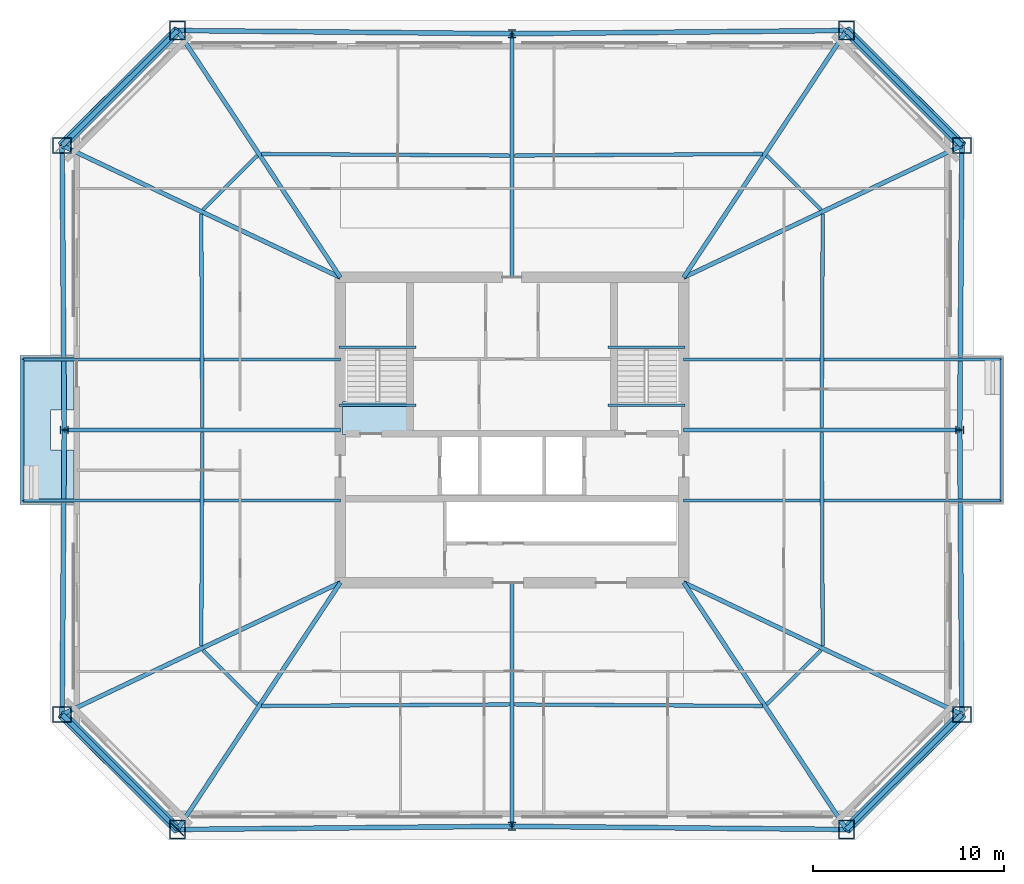
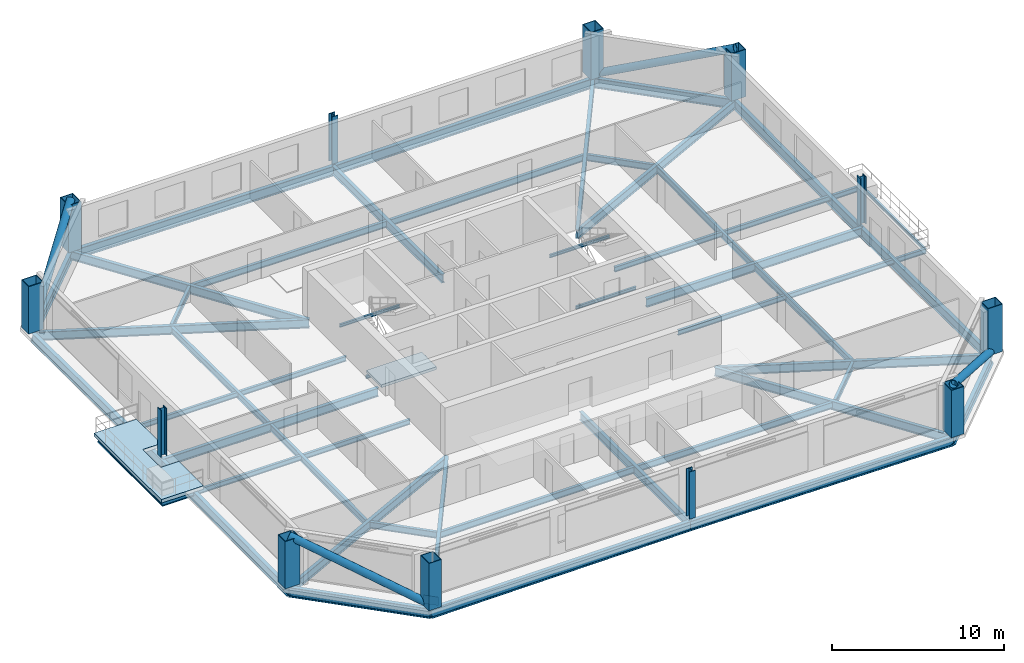
# One storey, part 1 of 8: 46 beams, 12 columns, 4 members, 2 slabs, 1 plate, 1 element without a shape of its own.
"""IFC4 building model written with IfcOpenShell, lengths in metres."""

from ifc_helpers import new_model, si_unit, direction, frame, origin, origin_2d, place, context, subcontext, project, spatial, polyline, rectangle, hollow_rectangle, hollow_circle, i_section, outline, extrude, material, layer, layer_set, material_profile, profile_set, type_object, element, aggregate, save


model = new_model("IFC4")

# Units and contexts
model_context = context("Model", 3, precision=1e-05, world=origin(), true_north=direction((0.0, 1.0)))
body_context = subcontext(model_context, "Body", "Model", "MODEL_VIEW")
ifc_project = project(units=[si_unit("LENGTHUNIT", "METRE"), si_unit("AREAUNIT", "SQUARE_METRE"), si_unit("VOLUMEUNIT", "CUBIC_METRE"), si_unit("PLANEANGLEUNIT", "RADIAN"), si_unit("MASSUNIT", "GRAM", prefix="KILO")], contexts=[model_context])

# Site, building, storey
site_placement = place(None, origin())
site = spatial("IfcSite", under=ifc_project, at=site_placement, CompositionType="ELEMENT")
building_placement = place(site_placement, origin())
building = spatial("IfcBuilding", under=site, at=building_placement, Name="Caelvoria Tower", CompositionType="ELEMENT")
storey_placement = place(building_placement, frame((0.0, 0.0, 142.0)))
storey = spatial("IfcBuildingStorey", under=building, at=storey_placement, Name="L37", CompositionType="ELEMENT", Elevation=142.0)

# Columns
ifc_material_1 = material(Name="Structural Steel ASTM A572 Gr.50", Category="steel")
ifc_material_profile_1 = material_profile(ifc_material_1, hollow_rectangle(XDim=0.85009765625, YDim=1.0, WallThickness=0.050048828125, at=origin_2d()), Name="Structural Steel ASTM A572 Gr.50")
ifc_profile_set_1 = profile_set([ifc_material_profile_1], Name="BOX1000X850X50 - Structural Steel ASTM A572 Gr.50")
column_type_1 = type_object("IfcColumnType", Name="Mega Box Column 1000x850x50", PredefinedType="COLUMN", material=ifc_profile_set_1)
for number, where, z_axis, x_axis, name in (
    (1, (28.462158203125, 11.052001953125, 0.0), (0.0, 0.0, 1.0), (1.0, 0.0, 0.0), "Perimeter Megaframe Column L37-P00"),
    (2, (63.537841796875, 11.052001953125, 0.0), (0.0, 0.0, 1.0), (1.0, 0.0, 0.0), "Perimeter Megaframe Column L37-P02"),
    (3, (69.59130859375, 17.084716796875, 0.0), (0.0, 0.0, 1.0), (0.0, 1.0, 0.0), "Perimeter Megaframe Column L37-P03"),
    (4, (69.59130859375, 46.915283203125, 0.0), (0.0, 0.0, 1.0), (0.0, 1.0, 0.0), "Perimeter Megaframe Column L37-P05"),
    (5, (63.537841796875, 52.947998046875, 0.0), (0.0, 0.0, 1.0), (1.0, 0.0, 0.0), "Perimeter Megaframe Column L37-P06"),
    (6, (28.462158203125, 52.947998046875, 0.0), (0.0, 0.0, 1.0), (1.0, 0.0, 0.0), "Perimeter Megaframe Column L37-P08"),
    (7, (22.40869140625, 46.915283203125, 0.0), (0.0, 0.0, 1.0), (0.0, 1.0, 0.0), "Perimeter Megaframe Column L37-P09"),
    (8, (22.40869140625, 17.084716796875, 0.0), (0.0, 0.0, 1.0), (0.0, 1.0, 0.0), "Perimeter Megaframe Column L37-P11"),
):
    element("IfcColumn", number, at=place(storey_placement, frame(where, z_axis=z_axis, x_axis=x_axis)), inside=storey, type_object=column_type_1, Name=name, PredefinedType="COLUMN", context=body_context, shape_type="SweptSolid", body=[
        extrude(hollow_rectangle(XDim=0.85009765625, YDim=1.0, WallThickness=0.050048828125, at=origin_2d()), origin(), (0.0, 0.0, 1.0), 3.35791015625),
    ])
ifc_material_2 = material(Name="Structural Steel ASTM A992 Gr.50", Category="steel")
ifc_material_profile_2 = material_profile(ifc_material_2, i_section(OverallWidth=0.406005859375, OverallDepth=0.425048828125, WebThickness=0.03271484375, FlangeThickness=0.052490234375, FilletRadius=0.02490234375, at=origin_2d()), Name="Structural Steel ASTM A992 Gr.50")
ifc_profile_set_2 = profile_set([ifc_material_profile_2], Name="W360X421 - Structural Steel ASTM A992 Gr.50")
column_type_2 = type_object("IfcColumnType", Name="Mid Frame Column W360X421", PredefinedType="COLUMN", material=ifc_profile_set_2)
for number, where, z_axis, x_axis, name in (
    (9, (46.0, 11.219970703125, 0.0), (0.0, 0.0, 1.0), (1.0, 0.0, 0.0), "Perimeter Megaframe Column L37-P01"),
    (10, (69.47998046875, 32.0, 0.0), (0.0, 0.0, 1.0), (0.0, 1.0, 0.0), "Perimeter Megaframe Column L37-P04"),
    (11, (46.0, 52.780029296875, 0.0), (0.0, 0.0, 1.0), (1.0, 0.0, 0.0), "Perimeter Megaframe Column L37-P07"),
    (12, (22.52001953125, 32.0, 0.0), (0.0, 0.0, 1.0), (0.0, 1.0, 0.0), "Perimeter Megaframe Column L37-P10"),
):
    element("IfcColumn", number, at=place(storey_placement, frame(where, z_axis=z_axis, x_axis=x_axis)), inside=storey, type_object=column_type_2, Name=name, PredefinedType="COLUMN", context=body_context, shape_type="SweptSolid", body=[
        extrude(i_section(OverallWidth=0.406005859375, OverallDepth=0.425048828125, WebThickness=0.03271484375, FlangeThickness=0.052490234375, FilletRadius=0.02490234375, at=origin_2d()), origin(), (0.0, 0.0, 1.0), 3.35791015625),
    ])

# Beams
ifc_material_profile_3 = material_profile(ifc_material_2, i_section(OverallWidth=0.134033203125, OverallDepth=0.2099609375, WebThickness=0.00634765625, FlangeThickness=0.01025390625, FilletRadius=0.010009765625, at=origin_2d()), Name="Structural Steel ASTM A992 Gr.50")
ifc_profile_set_3 = profile_set([ifc_material_profile_3], Name="W200X31.3 - Structural Steel ASTM A992 Gr.50")
beam_type_1 = type_object("IfcBeamType", Name="Canopy Edge Trim Beam W200X31.3", PredefinedType="BEAM", material=ifc_profile_set_3)
for number, where, z_axis, x_axis, name in (
    (13, (20.35009765625, 28.300048828125, -0.428955078125), (0.0, 1.0, 0.0), (-1.0, 0.0, 0.0), "Tree Balcony Edge Beam TB-L37-W"),
    (14, (71.64990234375, 28.300048828125, -0.428955078125), (0.0, 1.0, 0.0), (-1.0, 0.0, 0.0), "Tree Balcony Edge Beam TB-L37-E"),
):
    element("IfcBeam", number, at=place(storey_placement, frame(where, z_axis=z_axis, x_axis=x_axis)), inside=storey, type_object=beam_type_1, Name=name, PredefinedType="BEAM", context=body_context, shape_type="SweptSolid", body=[
        extrude(i_section(OverallWidth=0.134033203125, OverallDepth=0.2099609375, WebThickness=0.00634765625, FlangeThickness=0.01025390625, FilletRadius=0.010009765625, at=origin_2d()), origin(), (0.0, 0.0, 1.0), 7.39990234375),
    ])
for number, where, z_axis, x_axis, name in (
    (15, (36.929931640625, 36.35009765625, 1.4951171875), (1.0, 0.0, 0.0), (0.0, 1.0, 0.0), "ST-01 Half-Landing Support Beam L37"),
    (16, (36.929931640625, 33.300048828125, -0.304931640625), (1.0, 0.0, 0.0), (0.0, 1.0, 0.0), "ST-01 Floor-Landing Support Beam L37"),
    (17, (51.030029296875, 36.35009765625, 1.4951171875), (1.0, 0.0, 0.0), (0.0, 1.0, 0.0), "ST-02 Half-Landing Support Beam L37"),
    (18, (51.030029296875, 33.300048828125, -0.304931640625), (1.0, 0.0, 0.0), (0.0, 1.0, 0.0), "ST-02 Floor-Landing Support Beam L37"),
):
    element("IfcBeam", number, at=place(storey_placement, frame(where, z_axis=z_axis, x_axis=x_axis)), inside=storey, type_object=beam_type_1, Name=name, PredefinedType="BEAM", context=body_context, shape_type="SweptSolid", body=[
        extrude(i_section(OverallWidth=0.134033203125, OverallDepth=0.2099609375, WebThickness=0.00634765625, FlangeThickness=0.01025390625, FilletRadius=0.010009765625, at=origin_2d()), origin(), (0.0, 0.0, 1.0), 4.0400390625),
    ])

# Members
ifc_material_profile_4 = material_profile(ifc_material_1, hollow_circle(Radius=0.25390625, WallThickness=0.02001953125, at=origin_2d()), Name="Structural Steel ASTM A572 Gr.50")
ifc_profile_set_4 = profile_set([ifc_material_profile_4], Name="CHS508X20 - Structural Steel ASTM A572 Gr.50")
member_type = type_object("IfcMemberType", Name="Mid Perimeter Mega Brace CHS508X20", PredefinedType="BRACE", material=ifc_profile_set_4)
for number, where, z_axis, x_axis, name in (
    (19, (69.59130859375, 17.084716796875, 0.0), (-0.659199934996, -0.656940124773, 0.365903154078), (0.705891639545, -0.708319838224, 0.0), "Perimeter Chamfer Mega Brace L37 SE"),
    (20, (63.537841796875, 52.947998046875, 0.0), (0.659199934996, -0.656940124773, 0.365903154078), (0.705891639545, 0.708319838224, 0.0), "Perimeter Chamfer Mega Brace L37 NE"),
    (21, (22.40869140625, 46.915283203125, 0.0), (0.659199934996, 0.656940124773, 0.365903154078), (-0.705891639545, 0.708319838224, 0.0), "Perimeter Chamfer Mega Brace L37 NW"),
    (22, (28.462158203125, 11.052001953125, 0.0), (-0.659199934996, 0.656940124773, 0.365903154078), (-0.705891639545, -0.708319838224, 0.0), "Perimeter Chamfer Mega Brace L37 SW"),
):
    element("IfcMember", number, at=place(storey_placement, frame(where, z_axis=z_axis, x_axis=x_axis)), inside=storey, type_object=member_type, Name=name, PredefinedType="BRACE", context=body_context, shape_type="SweptSolid", body=[
        extrude(hollow_circle(Radius=0.25390625, WallThickness=0.02001953125, at=origin_2d()), origin(), (0.0, 0.0, 1.0), 9.18310546875),
    ])

# Beams
ifc_material_profile_5 = material_profile(ifc_material_2, i_section(OverallWidth=0.25390625, OverallDepth=0.68798828125, WebThickness=0.01318359375, FlangeThickness=0.02099609375, FilletRadius=0.01904296875, at=origin_2d()), Name="Structural Steel ASTM A992 Gr.50")
ifc_profile_set_5 = profile_set([ifc_material_profile_5], Name="W690X152 - Structural Steel ASTM A992 Gr.50")
beam_type_2 = type_object("IfcBeamType", Name="Perimeter Spandrel Girder W690X152", PredefinedType="BEAM", material=ifc_profile_set_5)
for number, where, z_axis, x_axis, name in (
    (23, (28.462158203125, 11.052001953125, -0.583984375), (0.999954138864, 0.009577064767, 0.0), (-0.009577064767, 0.999954138864, 0.0), "Perimeter Spandrel Girder L37-00"),
    (24, (46.0, 11.219970703125, -0.583984375), (0.999954138864, -0.009577064767, 0.0), (0.009577064767, 0.999954138864, 0.0), "Perimeter Spandrel Girder L37-01"),
):
    element("IfcBeam", number, at=place(storey_placement, frame(where, z_axis=z_axis, x_axis=x_axis)), inside=storey, type_object=beam_type_2, Name=name, PredefinedType="BEAM", context=body_context, shape_type="SweptSolid", body=[
        extrude(i_section(OverallWidth=0.25390625, OverallDepth=0.68798828125, WebThickness=0.01318359375, FlangeThickness=0.02099609375, FilletRadius=0.01904296875, at=origin_2d()), origin(), (0.0, 0.0, 1.0), 17.53857421875),
    ])
beam_1_placement = place(storey_placement, frame((63.537841796875, 11.052001953125, -0.583984375), z_axis=(0.708319838224, 0.705891639545, 0.0), x_axis=(-0.705891639545, 0.708319838224, 0.0)))
element("IfcBeam", 25, at=beam_1_placement, inside=storey, type_object=beam_type_2, Name="Perimeter Spandrel Girder L37-02", PredefinedType="BEAM", context=body_context, shape_type="SweptSolid", body=[
    extrude(i_section(OverallWidth=0.25390625, OverallDepth=0.68798828125, WebThickness=0.01318359375, FlangeThickness=0.02099609375, FilletRadius=0.01904296875, at=origin_2d()), origin(), (0.0, 0.0, 1.0), 8.546142578125),
])
for number, where, z_axis, x_axis, name in (
    (26, (69.59130859375, 17.084716796875, -0.583984375), (-0.007463822341, 0.99997214529, 0.0), (-0.99997214529, -0.007463822341, 0.0), "Perimeter Spandrel Girder L37-03"),
    (27, (69.47998046875, 32.0, -0.583984375), (0.007463822341, 0.99997214529, 0.0), (-0.99997214529, 0.007463822341, 0.0), "Perimeter Spandrel Girder L37-04"),
):
    element("IfcBeam", number, at=place(storey_placement, frame(where, z_axis=z_axis, x_axis=x_axis)), inside=storey, type_object=beam_type_2, Name=name, PredefinedType="BEAM", context=body_context, shape_type="SweptSolid", body=[
        extrude(i_section(OverallWidth=0.25390625, OverallDepth=0.68798828125, WebThickness=0.01318359375, FlangeThickness=0.02099609375, FilletRadius=0.01904296875, at=origin_2d()), origin(), (0.0, 0.0, 1.0), 14.915771484375),
    ])
beam_2_placement = place(storey_placement, frame((69.59130859375, 46.915283203125, -0.583984375), z_axis=(-0.708319838224, 0.705891639545, 0.0), x_axis=(-0.705891639545, -0.708319838224, 0.0)))
element("IfcBeam", 28, at=beam_2_placement, inside=storey, type_object=beam_type_2, Name="Perimeter Spandrel Girder L37-05", PredefinedType="BEAM", context=body_context, shape_type="SweptSolid", body=[
    extrude(i_section(OverallWidth=0.25390625, OverallDepth=0.68798828125, WebThickness=0.01318359375, FlangeThickness=0.02099609375, FilletRadius=0.01904296875, at=origin_2d()), origin(), (0.0, 0.0, 1.0), 8.546142578125),
])
for number, where, z_axis, x_axis, name in (
    (29, (63.537841796875, 52.947998046875, -0.583984375), (-0.999954138864, -0.009577064767, 0.0), (0.009577064767, -0.999954138864, 0.0), "Perimeter Spandrel Girder L37-06"),
    (30, (46.0, 52.780029296875, -0.583984375), (-0.999954138864, 0.009577064767, 0.0), (-0.009577064767, -0.999954138864, 0.0), "Perimeter Spandrel Girder L37-07"),
):
    element("IfcBeam", number, at=place(storey_placement, frame(where, z_axis=z_axis, x_axis=x_axis)), inside=storey, type_object=beam_type_2, Name=name, PredefinedType="BEAM", context=body_context, shape_type="SweptSolid", body=[
        extrude(i_section(OverallWidth=0.25390625, OverallDepth=0.68798828125, WebThickness=0.01318359375, FlangeThickness=0.02099609375, FilletRadius=0.01904296875, at=origin_2d()), origin(), (0.0, 0.0, 1.0), 17.53857421875),
    ])
beam_3_placement = place(storey_placement, frame((28.462158203125, 52.947998046875, -0.583984375), z_axis=(-0.708319838224, -0.705891639545, 0.0), x_axis=(0.705891639545, -0.708319838224, 0.0)))
element("IfcBeam", 31, at=beam_3_placement, inside=storey, type_object=beam_type_2, Name="Perimeter Spandrel Girder L37-08", PredefinedType="BEAM", context=body_context, shape_type="SweptSolid", body=[
    extrude(i_section(OverallWidth=0.25390625, OverallDepth=0.68798828125, WebThickness=0.01318359375, FlangeThickness=0.02099609375, FilletRadius=0.01904296875, at=origin_2d()), origin(), (0.0, 0.0, 1.0), 8.546142578125),
])
for number, where, z_axis, x_axis, name in (
    (32, (22.40869140625, 46.915283203125, -0.583984375), (0.007463822341, -0.99997214529, 0.0), (0.99997214529, 0.007463822341, 0.0), "Perimeter Spandrel Girder L37-09"),
    (33, (22.52001953125, 32.0, -0.583984375), (-0.007463822341, -0.99997214529, 0.0), (0.99997214529, -0.007463822341, 0.0), "Perimeter Spandrel Girder L37-10"),
):
    element("IfcBeam", number, at=place(storey_placement, frame(where, z_axis=z_axis, x_axis=x_axis)), inside=storey, type_object=beam_type_2, Name=name, PredefinedType="BEAM", context=body_context, shape_type="SweptSolid", body=[
        extrude(i_section(OverallWidth=0.25390625, OverallDepth=0.68798828125, WebThickness=0.01318359375, FlangeThickness=0.02099609375, FilletRadius=0.01904296875, at=origin_2d()), origin(), (0.0, 0.0, 1.0), 14.915771484375),
    ])
beam_4_placement = place(storey_placement, frame((22.40869140625, 17.084716796875, -0.583984375), z_axis=(0.708319838224, -0.705891639545, 0.0), x_axis=(0.705891639545, 0.708319838224, 0.0)))
element("IfcBeam", 34, at=beam_4_placement, inside=storey, type_object=beam_type_2, Name="Perimeter Spandrel Girder L37-11", PredefinedType="BEAM", context=body_context, shape_type="SweptSolid", body=[
    extrude(i_section(OverallWidth=0.25390625, OverallDepth=0.68798828125, WebThickness=0.01318359375, FlangeThickness=0.02099609375, FilletRadius=0.01904296875, at=origin_2d()), origin(), (0.0, 0.0, 1.0), 8.546142578125),
])
ifc_material_profile_6 = material_profile(ifc_material_2, i_section(OverallWidth=0.22900390625, OverallDepth=0.612060546875, WebThickness=0.011962890625, FlangeThickness=0.01953125, FilletRadius=0.01806640625, at=origin_2d()), Name="Structural Steel ASTM A992 Gr.50")
ifc_profile_set_6 = profile_set([ifc_material_profile_6], Name="W610X125 - Structural Steel ASTM A992 Gr.50")
beam_type_3 = type_object("IfcBeamType", Name="Primary Radial Floor Girder W610X125", PredefinedType="BEAM", material=ifc_profile_set_6)
beam_5_placement = place(storey_placement, frame((37.0, 24.0, -0.5458984375), z_axis=(-0.550490183299, -0.834841636535, 0.0), x_axis=(0.834841636535, -0.550490183299, 0.0)))
element("IfcBeam", 35, at=beam_5_placement, inside=storey, type_object=beam_type_3, Name="Primary Floor Girder L37-00", PredefinedType="BEAM", context=body_context, shape_type="SweptSolid", body=[
    extrude(i_section(OverallWidth=0.22900390625, OverallDepth=0.612060546875, WebThickness=0.011962890625, FlangeThickness=0.01953125, FilletRadius=0.01806640625, at=origin_2d()), origin(), (0.0, 0.0, 1.0), 15.509521484375),
])
beam_6_placement = place(storey_placement, frame((46.0, 24.0, -0.5458984375), z_axis=(0.0, -1.0, 0.0), x_axis=(1.0, 0.0, 0.0)))
element("IfcBeam", 36, at=beam_6_placement, inside=storey, type_object=beam_type_3, Name="Primary Floor Girder L37-01", PredefinedType="BEAM", context=body_context, shape_type="SweptSolid", body=[
    extrude(i_section(OverallWidth=0.22900390625, OverallDepth=0.612060546875, WebThickness=0.011962890625, FlangeThickness=0.01953125, FilletRadius=0.01806640625, at=origin_2d()), origin(), (0.0, 0.0, 1.0), 12.780029296875),
])
beam_7_placement = place(storey_placement, frame((55.0, 24.0, -0.5458984375), z_axis=(0.550490183299, -0.834841636535, 0.0), x_axis=(0.834841636535, 0.550490183299, 0.0)))
element("IfcBeam", 37, at=beam_7_placement, inside=storey, type_object=beam_type_3, Name="Primary Floor Girder L37-02", PredefinedType="BEAM", context=body_context, shape_type="SweptSolid", body=[
    extrude(i_section(OverallWidth=0.22900390625, OverallDepth=0.612060546875, WebThickness=0.011962890625, FlangeThickness=0.01953125, FilletRadius=0.01806640625, at=origin_2d()), origin(), (0.0, 0.0, 1.0), 15.509521484375),
])
beam_8_placement = place(storey_placement, frame((55.0, 24.0, -0.5458984375), z_axis=(0.903651309057, -0.428268971138, 0.0), x_axis=(0.428268971138, 0.903651309057, 0.0)))
element("IfcBeam", 38, at=beam_8_placement, inside=storey, type_object=beam_type_3, Name="Primary Floor Girder L37-03", PredefinedType="BEAM", context=body_context, shape_type="SweptSolid", body=[
    extrude(i_section(OverallWidth=0.22900390625, OverallDepth=0.612060546875, WebThickness=0.011962890625, FlangeThickness=0.01953125, FilletRadius=0.01806640625, at=origin_2d()), origin(), (0.0, 0.0, 1.0), 16.14697265625),
])
beam_9_placement = place(storey_placement, frame((55.0, 32.0, -0.5458984375), z_axis=(1.0, 0.0, 0.0), x_axis=(0.0, 1.0, 0.0)))
element("IfcBeam", 39, at=beam_9_placement, inside=storey, type_object=beam_type_3, Name="Primary Floor Girder L37-04", PredefinedType="BEAM", context=body_context, shape_type="SweptSolid", body=[
    extrude(i_section(OverallWidth=0.22900390625, OverallDepth=0.612060546875, WebThickness=0.011962890625, FlangeThickness=0.01953125, FilletRadius=0.01806640625, at=origin_2d()), origin(), (0.0, 0.0, 1.0), 14.47998046875),
])
beam_10_placement = place(storey_placement, frame((55.0, 40.0, -0.5458984375), z_axis=(0.903651309057, 0.428268971138, 0.0), x_axis=(-0.428268971138, 0.903651309057, 0.0)))
element("IfcBeam", 40, at=beam_10_placement, inside=storey, type_object=beam_type_3, Name="Primary Floor Girder L37-05", PredefinedType="BEAM", context=body_context, shape_type="SweptSolid", body=[
    extrude(i_section(OverallWidth=0.22900390625, OverallDepth=0.612060546875, WebThickness=0.011962890625, FlangeThickness=0.01953125, FilletRadius=0.01806640625, at=origin_2d()), origin(), (0.0, 0.0, 1.0), 16.14697265625),
])
beam_11_placement = place(storey_placement, frame((55.0, 40.0, -0.5458984375), z_axis=(0.550490183299, 0.834841636535, 0.0), x_axis=(-0.834841636535, 0.550490183299, 0.0)))
element("IfcBeam", 41, at=beam_11_placement, inside=storey, type_object=beam_type_3, Name="Primary Floor Girder L37-06", PredefinedType="BEAM", context=body_context, shape_type="SweptSolid", body=[
    extrude(i_section(OverallWidth=0.22900390625, OverallDepth=0.612060546875, WebThickness=0.011962890625, FlangeThickness=0.01953125, FilletRadius=0.01806640625, at=origin_2d()), origin(), (0.0, 0.0, 1.0), 15.509521484375),
])
beam_12_placement = place(storey_placement, frame((46.0, 40.0, -0.5458984375), z_axis=(0.0, 1.0, 0.0), x_axis=(-1.0, 0.0, 0.0)))
element("IfcBeam", 42, at=beam_12_placement, inside=storey, type_object=beam_type_3, Name="Primary Floor Girder L37-07", PredefinedType="BEAM", context=body_context, shape_type="SweptSolid", body=[
    extrude(i_section(OverallWidth=0.22900390625, OverallDepth=0.612060546875, WebThickness=0.011962890625, FlangeThickness=0.01953125, FilletRadius=0.01806640625, at=origin_2d()), origin(), (0.0, 0.0, 1.0), 12.780029296875),
])
beam_13_placement = place(storey_placement, frame((37.0, 40.0, -0.5458984375), z_axis=(-0.550490183299, 0.834841636535, 0.0), x_axis=(-0.834841636535, -0.550490183299, 0.0)))
element("IfcBeam", 43, at=beam_13_placement, inside=storey, type_object=beam_type_3, Name="Primary Floor Girder L37-08", PredefinedType="BEAM", context=body_context, shape_type="SweptSolid", body=[
    extrude(i_section(OverallWidth=0.22900390625, OverallDepth=0.612060546875, WebThickness=0.011962890625, FlangeThickness=0.01953125, FilletRadius=0.01806640625, at=origin_2d()), origin(), (0.0, 0.0, 1.0), 15.509521484375),
])
beam_14_placement = place(storey_placement, frame((37.0, 40.0, -0.5458984375), z_axis=(-0.903651309057, 0.428268971138, 0.0), x_axis=(-0.428268971138, -0.903651309057, 0.0)))
element("IfcBeam", 44, at=beam_14_placement, inside=storey, type_object=beam_type_3, Name="Primary Floor Girder L37-09", PredefinedType="BEAM", context=body_context, shape_type="SweptSolid", body=[
    extrude(i_section(OverallWidth=0.22900390625, OverallDepth=0.612060546875, WebThickness=0.011962890625, FlangeThickness=0.01953125, FilletRadius=0.01806640625, at=origin_2d()), origin(), (0.0, 0.0, 1.0), 16.14697265625),
])
beam_15_placement = place(storey_placement, frame((37.0, 32.0, -0.5458984375), z_axis=(-1.0, 0.0, 0.0), x_axis=(0.0, -1.0, 0.0)))
element("IfcBeam", 45, at=beam_15_placement, inside=storey, type_object=beam_type_3, Name="Primary Floor Girder L37-10", PredefinedType="BEAM", context=body_context, shape_type="SweptSolid", body=[
    extrude(i_section(OverallWidth=0.22900390625, OverallDepth=0.612060546875, WebThickness=0.011962890625, FlangeThickness=0.01953125, FilletRadius=0.01806640625, at=origin_2d()), origin(), (0.0, 0.0, 1.0), 14.47998046875),
])
beam_16_placement = place(storey_placement, frame((37.0, 24.0, -0.5458984375), z_axis=(-0.903651309057, -0.428268971138, 0.0), x_axis=(0.428268971138, -0.903651309057, 0.0)))
element("IfcBeam", 46, at=beam_16_placement, inside=storey, type_object=beam_type_3, Name="Primary Floor Girder L37-11", PredefinedType="BEAM", context=body_context, shape_type="SweptSolid", body=[
    extrude(i_section(OverallWidth=0.22900390625, OverallDepth=0.612060546875, WebThickness=0.011962890625, FlangeThickness=0.01953125, FilletRadius=0.01806640625, at=origin_2d()), origin(), (0.0, 0.0, 1.0), 16.14697265625),
])
ifc_material_profile_7 = material_profile(ifc_material_2, i_section(OverallWidth=0.18994140625, OverallDepth=0.45703125, WebThickness=0.009033203125, FlangeThickness=0.014404296875, FilletRadius=0.014892578125, at=origin_2d()), Name="Structural Steel ASTM A992 Gr.50")
ifc_profile_set_7 = profile_set([ifc_material_profile_7], Name="W460X74 - Structural Steel ASTM A992 Gr.50")
beam_type_4 = type_object("IfcBeamType", Name="Secondary Floor Beam W460X74", PredefinedType="BEAM", material=ifc_profile_set_7)
for number, where, z_axis, x_axis, name in (
    (47, (32.856201171875, 17.52685546875, -0.468505859375), (0.999980031057, 0.006319611261, 0.0), (-0.006319611261, 0.999980031057, 0.0), "Secondary Floor Beam L37-00"),
    (48, (46.125, 17.609130859375, -0.468505859375), (0.999980031057, -0.006319611261, 0.0), (0.006319611261, 0.999980031057, 0.0), "Secondary Floor Beam L37-01"),
):
    element("IfcBeam", number, at=place(storey_placement, frame(where, z_axis=z_axis, x_axis=x_axis)), inside=storey, type_object=beam_type_4, Name=name, PredefinedType="BEAM", context=body_context, shape_type="SweptSolid", body=[
        extrude(i_section(OverallWidth=0.18994140625, OverallDepth=0.45703125, WebThickness=0.009033203125, FlangeThickness=0.014404296875, FilletRadius=0.014892578125, at=origin_2d()), origin(), (0.0, 0.0, 1.0), 13.01904296875),
    ])
beam_17_placement = place(storey_placement, frame((59.357421875, 17.6142578125, -0.468505859375), z_axis=(0.708349683193, 0.705861690645, 0.0), x_axis=(-0.705861690645, 0.708349683193, 0.0)))
element("IfcBeam", 49, at=beam_17_placement, inside=storey, type_object=beam_type_4, Name="Secondary Floor Beam L37-02", PredefinedType="BEAM", context=body_context, shape_type="SweptSolid", body=[
    extrude(i_section(OverallWidth=0.18994140625, OverallDepth=0.45703125, WebThickness=0.009033203125, FlangeThickness=0.014404296875, FilletRadius=0.014892578125, at=origin_2d()), origin(), (0.0, 0.0, 1.0), 4.023193359375),
])
for number, where, z_axis, x_axis, name in (
    (50, (62.295166015625, 20.66748046875, -0.468505859375), (-0.004879478354, 0.999988095275, 0.0), (-0.999988095275, -0.004879478354, 0.0), "Secondary Floor Beam L37-03"),
    (51, (62.240478515625, 32.125, -0.468505859375), (0.004879478354, 0.999988095275, 0.0), (-0.999988095275, 0.004879478354, 0.0), "Secondary Floor Beam L37-04"),
):
    element("IfcBeam", number, at=place(storey_placement, frame(where, z_axis=z_axis, x_axis=x_axis)), inside=storey, type_object=beam_type_4, Name=name, PredefinedType="BEAM", context=body_context, shape_type="SweptSolid", body=[
        extrude(i_section(OverallWidth=0.18994140625, OverallDepth=0.45703125, WebThickness=0.009033203125, FlangeThickness=0.014404296875, FilletRadius=0.014892578125, at=origin_2d()), origin(), (0.0, 0.0, 1.0), 11.207763671875),
    ])
beam_18_placement = place(storey_placement, frame((62.207275390625, 43.5458984375, -0.468505859375), z_axis=(-0.708349683193, 0.705861690645, 0.0), x_axis=(-0.705861690645, -0.708349683193, 0.0)))
element("IfcBeam", 52, at=beam_18_placement, inside=storey, type_object=beam_type_4, Name="Secondary Floor Beam L37-05", PredefinedType="BEAM", context=body_context, shape_type="SweptSolid", body=[
    extrude(i_section(OverallWidth=0.18994140625, OverallDepth=0.45703125, WebThickness=0.009033203125, FlangeThickness=0.014404296875, FilletRadius=0.014892578125, at=origin_2d()), origin(), (0.0, 0.0, 1.0), 4.023193359375),
])
for number, where, z_axis, x_axis, name in (
    (53, (59.143798828125, 46.47314453125, -0.468505859375), (-0.999980031057, -0.006319611261, 0.0), (0.006319611261, -0.999980031057, 0.0), "Secondary Floor Beam L37-06"),
    (54, (45.875, 46.390869140625, -0.468505859375), (-0.999980031057, 0.006319611261, 0.0), (-0.006319611261, -0.999980031057, 0.0), "Secondary Floor Beam L37-07"),
):
    element("IfcBeam", number, at=place(storey_placement, frame(where, z_axis=z_axis, x_axis=x_axis)), inside=storey, type_object=beam_type_4, Name=name, PredefinedType="BEAM", context=body_context, shape_type="SweptSolid", body=[
        extrude(i_section(OverallWidth=0.18994140625, OverallDepth=0.45703125, WebThickness=0.009033203125, FlangeThickness=0.014404296875, FilletRadius=0.014892578125, at=origin_2d()), origin(), (0.0, 0.0, 1.0), 13.01904296875),
    ])
beam_19_placement = place(storey_placement, frame((32.642578125, 46.3857421875, -0.468505859375), z_axis=(-0.708349683193, -0.705861690645, 0.0), x_axis=(0.705861690645, -0.708349683193, 0.0)))
element("IfcBeam", 55, at=beam_19_placement, inside=storey, type_object=beam_type_4, Name="Secondary Floor Beam L37-08", PredefinedType="BEAM", context=body_context, shape_type="SweptSolid", body=[
    extrude(i_section(OverallWidth=0.18994140625, OverallDepth=0.45703125, WebThickness=0.009033203125, FlangeThickness=0.014404296875, FilletRadius=0.014892578125, at=origin_2d()), origin(), (0.0, 0.0, 1.0), 4.023193359375),
])
for number, where, z_axis, x_axis, name in (
    (56, (29.704833984375, 43.33251953125, -0.468505859375), (0.004879478354, -0.999988095275, 0.0), (0.999988095275, 0.004879478354, 0.0), "Secondary Floor Beam L37-09"),
    (57, (29.759521484375, 31.875, -0.468505859375), (-0.004879478354, -0.999988095275, 0.0), (0.999988095275, -0.004879478354, 0.0), "Secondary Floor Beam L37-10"),
):
    element("IfcBeam", number, at=place(storey_placement, frame(where, z_axis=z_axis, x_axis=x_axis)), inside=storey, type_object=beam_type_4, Name=name, PredefinedType="BEAM", context=body_context, shape_type="SweptSolid", body=[
        extrude(i_section(OverallWidth=0.18994140625, OverallDepth=0.45703125, WebThickness=0.009033203125, FlangeThickness=0.014404296875, FilletRadius=0.014892578125, at=origin_2d()), origin(), (0.0, 0.0, 1.0), 11.207763671875),
    ])
beam_20_placement = place(storey_placement, frame((29.792724609375, 20.4541015625, -0.468505859375), z_axis=(0.708349683193, -0.705861690645, 0.0), x_axis=(0.705861690645, 0.708349683193, 0.0)))
element("IfcBeam", 58, at=beam_20_placement, inside=storey, type_object=beam_type_4, Name="Secondary Floor Beam L37-11", PredefinedType="BEAM", context=body_context, shape_type="SweptSolid", body=[
    extrude(i_section(OverallWidth=0.18994140625, OverallDepth=0.45703125, WebThickness=0.009033203125, FlangeThickness=0.014404296875, FilletRadius=0.014892578125, at=origin_2d()), origin(), (0.0, 0.0, 1.0), 4.023193359375),
])
ifc_material_profile_8 = material_profile(ifc_material_2, i_section(OverallWidth=0.1708984375, OverallDepth=0.35498046875, WebThickness=0.007080078125, FlangeThickness=0.01171875, FilletRadius=0.012939453125, at=origin_2d()), Name="Structural Steel ASTM A992 Gr.50")
ifc_profile_set_8 = profile_set([ifc_material_profile_8], Name="W360X51 - Structural Steel ASTM A992 Gr.50")
beam_type_5 = type_object("IfcBeamType", Name="Tree Balcony Cantilever Beam W360X51", PredefinedType="BEAM", material=ifc_profile_set_8)
for number, where, z_axis, x_axis, name in (
    (59, (37.0, 28.300048828125, -0.428955078125), (-1.0, 0.0, 0.0), (0.0, -1.0, 0.0), "Tree Balcony Cantilever Beam TB-L37-W L"),
    (60, (37.0, 35.699951171875, -0.428955078125), (-1.0, 0.0, 0.0), (0.0, -1.0, 0.0), "Tree Balcony Cantilever Beam TB-L37-W R"),
    (61, (55.0, 28.300048828125, -0.428955078125), (1.0, 0.0, 0.0), (0.0, 1.0, 0.0), "Tree Balcony Cantilever Beam TB-L37-E L"),
    (62, (55.0, 35.699951171875, -0.428955078125), (1.0, 0.0, 0.0), (0.0, 1.0, 0.0), "Tree Balcony Cantilever Beam TB-L37-E R"),
):
    element("IfcBeam", number, at=place(storey_placement, frame(where, z_axis=z_axis, x_axis=x_axis)), inside=storey, type_object=beam_type_5, Name=name, PredefinedType="BEAM", context=body_context, shape_type="SweptSolid", body=[
        extrude(i_section(OverallWidth=0.1708984375, OverallDepth=0.35498046875, WebThickness=0.007080078125, FlangeThickness=0.01171875, FilletRadius=0.012939453125, at=origin_2d()), origin(), (0.0, 0.0, 1.0), 16.64990234375),
    ])

# Plate
ifc_layer_1 = layer(ifc_material_1, 0.0400390625, Name="Structural Steel ASTM A572 Gr.50")
ifc_layer_set_1 = layer_set([ifc_layer_1], Name="Megaframe Node Gusset Plate 900x600x40 - Structural Steel ASTM A572 Gr.50")
plate_type = type_object("IfcPlateType", Name="Megaframe Node Gusset Plate 900x600x40", PredefinedType="USERDEFINED", material=ifc_layer_set_1)
plate_placement = place(storey_placement, frame((28.462158203125, 11.052001953125, 0.02001953125), z_axis=(0.0, 0.0, 1.0), x_axis=(-0.708328749832, 0.705882697168, 0.0)))
element("IfcPlate", 63, at=plate_placement, inside=storey, type_object=plate_type, Name="Chamfer Mega Brace Gusset L37 SW", ObjectType="GUSSET_PLATE", PredefinedType="USERDEFINED", context=body_context, shape_type="SweptSolid", body=[
    extrude(rectangle(XDim=0.89990234375, YDim=0.0400390625, at=origin_2d()), origin(), (0.0, 0.0, 1.0), 0.60009765625),
])

# Stair, slab
ifc_material_3 = material(Name="Concrete C40/50", Category="concrete")
stair_type = type_object("IfcStairType", Name="Core Smokeproof Dogleg Stair Concrete C40/50", PredefinedType="HALF_TURN_STAIR", material=ifc_material_3)
stair_placement = place(storey_placement, origin())
stair = element("IfcStair", 64, at=stair_placement, inside=storey, type_object=stair_type, Name="ST-01 Smokeproof Exit Stair L37", PredefinedType="HALF_TURN_STAIR")
ifc_layer_2 = layer(ifc_material_3, 0.199951171875, Name="Concrete C40/50")
ifc_layer_set_2 = layer_set([ifc_layer_2], Name="Stair Half and Floor Landing Slab 200 Concrete C40/50 - Concrete C40/50")
slab_type_1 = type_object("IfcSlabType", Name="Stair Half and Floor Landing Slab 200 Concrete C40/50", PredefinedType="LANDING", material=ifc_layer_set_2)
slab_1_placement = place(storey_placement, frame((0.0, 0.0, -0.199951171875)))
slab_1 = element("IfcSlab", 65, at=slab_1_placement, type_object=slab_type_1, Name="ST-01 landing 1", PredefinedType="LANDING", context=body_context, shape_type="SweptSolid", body=[
    extrude(outline(polyline([(37.10009765625, 31.77001953125), (40.800048828125, 31.77001953125), (40.800048828125, 33.5), (37.10009765625, 33.5), (37.10009765625, 31.77001953125)])), origin(), (0.0, 0.0, 1.0), 0.199951171875),
])
aggregate(stair, [slab_1])

# Slab
ifc_material_4 = material(Name="Concrete C45/55", Category="concrete")
ifc_layer_3 = layer(ifc_material_4, 0.25, Name="Concrete C45/55")
ifc_layer_set_3 = layer_set([ifc_layer_3], Name="Tree Balcony Structural Planter Slab 250 - Concrete C45/55")
slab_type_2 = type_object("IfcSlabType", Name="Tree Balcony Structural Planter Slab 250", PredefinedType="FLOOR", material=ifc_layer_set_3)
slab_2_placement = place(storey_placement, frame((0.0, 0.0, -0.25)))
element("IfcSlab", 66, at=slab_2_placement, inside=storey, type_object=slab_type_2, Name="Tree Balcony Slab TB-L37-W", PredefinedType="FLOOR", context=body_context, shape_type="SweptSolid", body=[
    extrude(outline(polyline([(20.199951171875, 28.10009765625), (21.800048828125, 28.10009765625), (23.0400390625, 28.10009765625), (23.0400390625, 30.9599609375), (21.800048828125, 30.9599609375), (21.800048828125, 33.0400390625), (23.0400390625, 33.0400390625), (23.0400390625, 35.89990234375), (21.800048828125, 35.89990234375), (20.199951171875, 35.89990234375), (20.199951171875, 28.10009765625)])), origin(), (0.0, 0.0, 1.0), 0.25),
])

save(model, "model.ifc")
